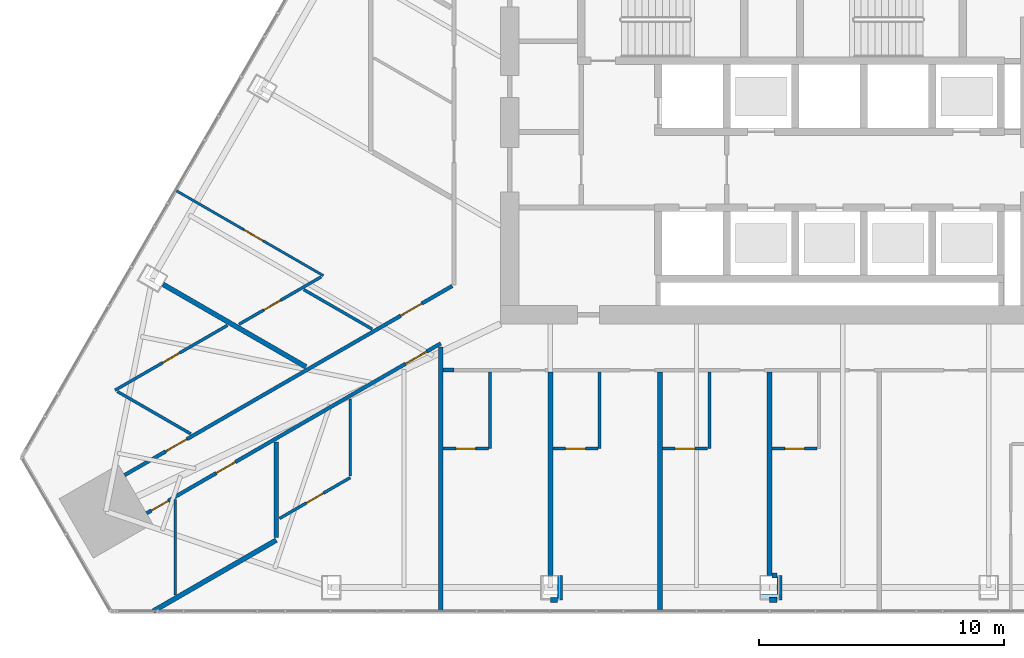
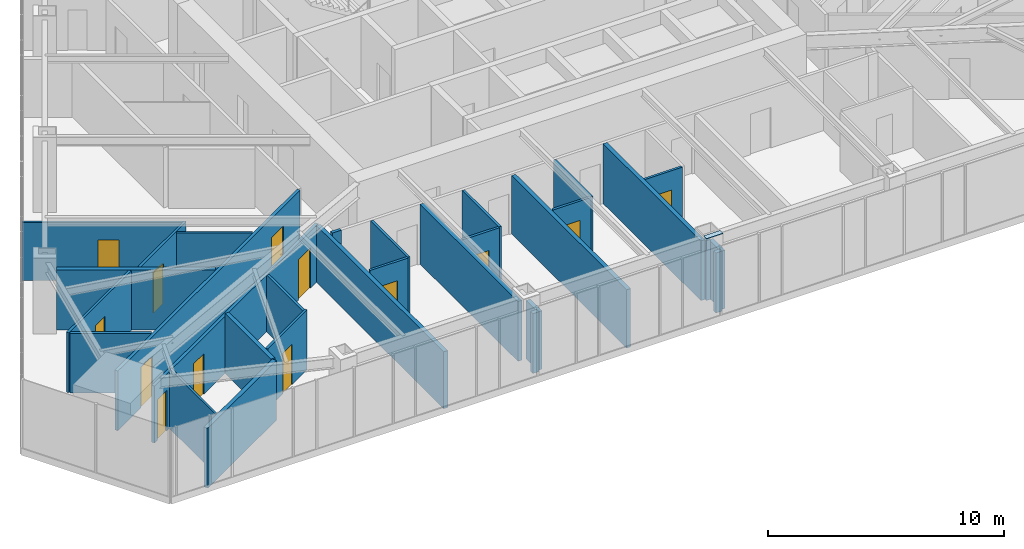
# One storey, part 19 of 26: 30 walls, 13 doors, 1 plate, 13 openings.
"""IFC4 building model written with IfcOpenShell, lengths in metres."""

from ifc_helpers import new_model, si_unit, direction, frame, frame_2d, origin, place, context, subcontext, project, spatial, polyline, rectangle, outline, extrude, material, layer, layer_set, type_object, element, fill, save


model = new_model("IFC4")

# Units and contexts
model_context = context("Model", 3, precision=1e-05, world=origin(), true_north=direction((0.0, 1.0)))
body_context = subcontext(model_context, "Body", "Model", "MODEL_VIEW")
ifc_project = project(units=[si_unit("LENGTHUNIT", "METRE"), si_unit("AREAUNIT", "SQUARE_METRE"), si_unit("VOLUMEUNIT", "CUBIC_METRE"), si_unit("PLANEANGLEUNIT", "RADIAN"), si_unit("MASSUNIT", "GRAM", prefix="KILO")], contexts=[model_context])

# Site, building, storey
site_placement = place(None, origin())
site = spatial("IfcSite", under=ifc_project, at=site_placement, CompositionType="ELEMENT")
building_placement = place(site_placement, origin())
building = spatial("IfcBuilding", under=site, at=building_placement, Name="Firuza Gate Tower and Library", CompositionType="ELEMENT")
storey_placement = place(building_placement, frame((0.0, 0.0, 175.300048828125)))
storey = spatial("IfcBuildingStorey", under=building, at=storey_placement, Name="L40", CompositionType="ELEMENT", Elevation=175.300048828125)

# Plate
ifc_material_1 = material(Name="Steel S355", Category="steel")
ifc_layer_1 = layer(ifc_material_1, 0.030029296875)
ifc_layer_set_1 = layer_set([ifc_layer_1], Name="Column infill plate 30 Steel S355")
plate_type = type_object("IfcPlateType", Name="Column infill plate 30 Steel S355", PredefinedType="SHEET", material=ifc_layer_set_1)
plate_placement = place(storey_placement, frame((0.0, 0.0, 3.89990234375)))
element("IfcPlate", 1, at=plate_placement, inside=storey, type_object=plate_type, Name="Infill plate L40:S3", PredefinedType="SHEET", context=body_context, shape_type="SweptSolid", body=[
    extrude(outline(polyline([(75.39990234375, 55.720458984375), (75.39990234375, 55.959716796875), (74.60009765625, 55.959716796875), (74.60009765625, 55.720458984375), (75.39990234375, 55.720458984375)])), origin(), (0.0, 0.0, 1.0), 0.030029296875),
])

# Wall
ifc_material_2 = material(Name="Gypsum board partition")
ifc_layer_2 = layer(ifc_material_2, 0.14990234375)
ifc_layer_set_2 = layer_set([ifc_layer_2], Name="Corridor wall 150 double board on steel studs")
wall_type_1 = type_object("IfcWallType", Name="Corridor wall 150 double board on steel studs", PredefinedType="PARTITIONING", material=ifc_layer_set_2)
wall_1_placement = place(storey_placement, frame((61.6572265625, 65.118896484375, 0.0), z_axis=(0.0, 0.0, 1.0), x_axis=(1.0, 0.0, 0.0)))
element("IfcWall", 2, at=wall_1_placement, inside=storey, type_object=wall_type_1, Name="f:L40:w009", PredefinedType="PARTITIONING", context=body_context, shape_type="SweptSolid", body=[
    extrude(rectangle(XDim=0.44287109375, YDim=0.14990234375, at=frame_2d((0.221435546875, 0.0))), origin(), (0.0, 0.0, 1.0), 3.099853515625),
])

# Wall, openings, doors
wall_2_placement = place(storey_placement, frame((61.55712890625, 66.19970703125, 0.0), z_axis=(0.0, 0.0, 1.0), x_axis=(-0.866027723534, -0.499995982055, 0.0)))
wall_2 = element("IfcWall", 3, at=wall_2_placement, inside=storey, type_object=wall_type_1, Name="f:L40:w033", PredefinedType="PARTITIONING", context=body_context, shape_type="SweptSolid", body=[
    extrude(rectangle(XDim=13.88134765625, YDim=0.14990234375, at=frame_2d((6.940673828125, 0.0))), origin(), (0.0, 0.0, 1.0), 2.947021484375),
])
opening_1_placement = place(wall_2_placement, frame((0.660888671875, 0.0, 0.0)))
opening_1 = element("IfcOpeningElement", 4, at=opening_1_placement, cuts=wall_2, Name="Opening L40-20", PredefinedType="OPENING", context=body_context, shape_type="SweptSolid", body=[
    extrude(rectangle(XDim=1.0, YDim=2.10009765625, at=frame_2d((0.5, 1.050048828125))), frame((0.0, 0.0849609375, 0.0), z_axis=(0.0, -1.0, 0.0), x_axis=(1.0, 0.0, 0.0)), (0.0, 0.0, 1.0), 0.169921875),
])
opening_2_placement = place(wall_2_placement, frame((9.6962890625, 0.0, 0.0)))
opening_2 = element("IfcOpeningElement", 5, at=opening_2_placement, cuts=wall_2, Name="Opening L40-21", PredefinedType="OPENING", context=body_context, shape_type="SweptSolid", body=[
    extrude(rectangle(XDim=0.89990234375, YDim=2.10009765625, at=frame_2d((0.449951171875, 1.050048828125))), frame((0.0, 0.0849609375, 0.0), z_axis=(0.0, -1.0, 0.0), x_axis=(1.0, 0.0, 0.0)), (0.0, 0.0, 1.0), 0.169921875),
])
opening_3_placement = place(wall_2_placement, frame((12.854736328125, 0.0, 0.0)))
opening_3 = element("IfcOpeningElement", 6, at=opening_3_placement, cuts=wall_2, Name="Opening L40-22", PredefinedType="OPENING", context=body_context, shape_type="SweptSolid", body=[
    extrude(rectangle(XDim=0.800048828125, YDim=2.10009765625, at=frame_2d((0.39990234375, 1.050048828125))), frame((0.0, 0.0849609375, 0.0), z_axis=(0.0, -1.0, 0.0), x_axis=(1.0, 0.0, 0.0)), (0.0, 0.0, 1.0), 0.169921875),
])
ifc_material_3 = material(Name="Timber door", Category="wood")
door_type_1 = type_object("IfcDoorType", Name="Door 800 x 2100 timber leaf", OperationType="NOTDEFINED", PredefinedType="DOOR", material=ifc_material_3)
door_1_placement = place(opening_3_placement, origin())
door_1 = element("IfcDoor", 7, at=door_1_placement, inside=storey, type_object=door_type_1, Name="f:L40:d022", OperationType="SINGLE_SWING_RIGHT", OverallHeight=2.10009765625, OverallWidth=0.800048828125, PredefinedType="DOOR", context=body_context, shape_type="SweptSolid", body=[
    extrude(rectangle(XDim=0.800048828125, YDim=2.10009765625, at=frame_2d((0.39990234375, 1.050048828125))), frame((0.0, 0.02490234375, 0.0), z_axis=(0.0, -1.0, 0.0), x_axis=(1.0, 0.0, 0.0)), (0.0, 0.0, 1.0), 0.050048828125),
])
fill(opening_3, door_1)
ifc_material_4 = material(Name="Steel door and timber leaf", Category="steel")
door_type_2 = type_object("IfcDoorType", Name="Fire door 1000 x 2100 steel frame, timber leaf", OperationType="NOTDEFINED", PredefinedType="DOOR", material=ifc_material_4)
door_2_placement = place(opening_1_placement, origin())
door_2 = element("IfcDoor", 8, at=door_2_placement, inside=storey, type_object=door_type_2, Name="f:L40:d020", OperationType="SINGLE_SWING_RIGHT", OverallHeight=2.10009765625, OverallWidth=1.0, PredefinedType="DOOR", context=body_context, shape_type="SweptSolid", body=[
    extrude(rectangle(XDim=1.0, YDim=2.10009765625, at=frame_2d((0.5, 1.050048828125))), frame((0.0, 0.02490234375, 0.0), z_axis=(0.0, -1.0, 0.0), x_axis=(1.0, 0.0, 0.0)), (0.0, 0.0, 1.0), 0.050048828125),
])
fill(opening_1, door_2)
ifc_material_5 = material(Name="Steel door and timber leaf", Category="steel")
door_type_3 = type_object("IfcDoorType", Name="Fire door 900 x 2100 steel frame, timber leaf", OperationType="NOTDEFINED", PredefinedType="DOOR", material=ifc_material_5)
door_3_placement = place(opening_2_placement, origin())
door_3 = element("IfcDoor", 9, at=door_3_placement, inside=storey, type_object=door_type_3, Name="f:L40:d021", OperationType="SINGLE_SWING_LEFT", OverallHeight=2.10009765625, OverallWidth=0.89990234375, PredefinedType="DOOR", context=body_context, shape_type="SweptSolid", body=[
    extrude(rectangle(XDim=0.89990234375, YDim=2.10009765625, at=frame_2d((0.449951171875, 1.050048828125))), frame((0.0, 0.02490234375, 0.0), z_axis=(0.0, -1.0, 0.0), x_axis=(1.0, 0.0, 0.0)), (0.0, 0.0, 1.0), 0.050048828125),
])
fill(opening_2, door_3)

wall_3_placement = place(storey_placement, frame((48.635498046875, 60.81787109375, 0.0), z_axis=(0.0, 0.0, 1.0), x_axis=(0.866029648708, 0.499992647504, 0.0)))
wall_3 = element("IfcWall", 10, at=wall_3_placement, inside=storey, type_object=wall_type_1, Name="f:L40:w035", PredefinedType="PARTITIONING", context=body_context, shape_type="SweptSolid", body=[
    extrude(rectangle(XDim=15.460693359375, YDim=0.14990234375, at=frame_2d((7.73046875, 0.0))), origin(), (0.0, 0.0, 1.0), 3.099853515625),
])
opening_4_placement = place(wall_3_placement, frame((1.945068359375, 0.0, 0.0)))
opening_4 = element("IfcOpeningElement", 11, at=opening_4_placement, cuts=wall_3, Name="Opening L40-24", PredefinedType="OPENING", context=body_context, shape_type="SweptSolid", body=[
    extrude(rectangle(XDim=1.0, YDim=2.10009765625, at=frame_2d((0.5, 1.050048828125))), frame((0.0, 0.0849609375, 0.0), z_axis=(0.0, -1.0, 0.0), x_axis=(1.0, 0.0, 0.0)), (0.0, 0.0, 1.0), 0.169921875),
])
opening_5_placement = place(wall_3_placement, frame((13.034423828125, 0.0, 0.0)))
opening_5 = element("IfcOpeningElement", 12, at=opening_5_placement, cuts=wall_3, Name="Opening L40-25", PredefinedType="OPENING", context=body_context, shape_type="SweptSolid", body=[
    extrude(rectangle(XDim=1.0, YDim=2.10009765625, at=frame_2d((0.5, 1.050048828125))), frame((0.0, 0.0849609375, 0.0), z_axis=(0.0, -1.0, 0.0), x_axis=(1.0, 0.0, 0.0)), (0.0, 0.0, 1.0), 0.169921875),
])
door_4_placement = place(opening_4_placement, origin())
door_4 = element("IfcDoor", 13, at=door_4_placement, inside=storey, type_object=door_type_2, Name="f:L40:d024", OperationType="SINGLE_SWING_LEFT", OverallHeight=2.10009765625, OverallWidth=1.0, PredefinedType="DOOR", context=body_context, shape_type="SweptSolid", body=[
    extrude(rectangle(XDim=1.0, YDim=2.10009765625, at=frame_2d((0.5, 1.050048828125))), frame((0.0, 0.02490234375, 0.0), z_axis=(0.0, -1.0, 0.0), x_axis=(1.0, 0.0, 0.0)), (0.0, 0.0, 1.0), 0.050048828125),
])
fill(opening_4, door_4)
door_5_placement = place(opening_5_placement, origin())
door_5 = element("IfcDoor", 14, at=door_5_placement, inside=storey, type_object=door_type_2, Name="f:L40:d025", OperationType="SINGLE_SWING_RIGHT", OverallHeight=2.10009765625, OverallWidth=1.0, PredefinedType="DOOR", context=body_context, shape_type="SweptSolid", body=[
    extrude(rectangle(XDim=1.0, YDim=2.10009765625, at=frame_2d((0.5, 1.050048828125))), frame((0.0, 0.02490234375, 0.0), z_axis=(0.0, -1.0, 0.0), x_axis=(1.0, 0.0, 0.0)), (0.0, 0.0, 1.0), 0.050048828125),
])
fill(opening_5, door_5)

# Walls
ifc_material_6 = material(Name="Gypsum board partition")
ifc_layer_3 = layer(ifc_material_6, 0.199951171875)
ifc_layer_set_3 = layer_set([ifc_layer_3], Name="Demising wall 200 acoustic double stud")
wall_type_2 = type_object("IfcWallType", Name="Demising wall 200 acoustic double stud", PredefinedType="PARTITIONING", material=ifc_layer_set_3)
wall_4_placement = place(storey_placement, frame((66.0380859375, 55.720947265625, 0.0), z_axis=(0.0, 0.0, 1.0), x_axis=(1.0, 0.0, 0.0)))
element("IfcWall", 15, at=wall_4_placement, inside=storey, type_object=wall_type_2, Name="f:L40:w000", PredefinedType="PARTITIONING", context=body_context, shape_type="SweptSolid", body=[
    extrude(rectangle(XDim=0.2900390625, YDim=0.199951171875, at=frame_2d((0.14501953125, 0.0))), origin(), (0.0, 0.0, 1.0), 3.099853515625),
])
wall_5_placement = place(storey_placement, frame((75.0, 55.720947265625, 0.0), z_axis=(0.0, 0.0, 1.0), x_axis=(1.0, 0.0, 0.0)))
element("IfcWall", 16, at=wall_5_placement, inside=storey, type_object=wall_type_2, Name="f:L40:w001", PredefinedType="PARTITIONING", context=body_context, shape_type="SweptSolid", body=[
    extrude(rectangle(XDim=0.300048828125, YDim=0.199951171875, at=frame_2d((0.14990234375, 0.0))), origin(), (0.0, 0.0, 1.0), 3.099853515625),
])
wall_6_placement = place(storey_placement, frame((75.10009765625, 56.720947265625, 0.0), z_axis=(0.0, 0.0, 1.0), x_axis=(1.0, 0.0, 0.0)))
element("IfcWall", 17, at=wall_6_placement, inside=storey, type_object=wall_type_2, Name="f:L40:w002", PredefinedType="PARTITIONING", context=body_context, shape_type="SweptSolid", body=[
    extrude(rectangle(XDim=0.199951171875, YDim=0.199951171875, at=frame_2d((0.10009765625, 0.0))), origin(), (0.0, 0.0, 1.0), 3.099853515625),
])
wall_7_placement = place(storey_placement, frame((49.81005859375, 55.260498046875, 0.0), z_axis=(0.0, 0.0, 1.0), x_axis=(0.866025827221, 0.499999266586, 0.0)))
element("IfcWall", 18, at=wall_7_placement, inside=storey, type_object=wall_type_2, Name="f:L40:w030", PredefinedType="PARTITIONING", context=body_context, shape_type="SweptSolid", body=[
    extrude(rectangle(XDim=5.80224609375, YDim=0.199951171875, at=frame_2d((2.901123046875, 0.0))), origin(), (0.0, 0.0, 1.0), 3.099853515625),
])
wall_8_placement = place(storey_placement, frame((75.39990234375, 55.720458984375, 0.0), z_axis=(0.0, 0.0, 1.0), x_axis=(0.0, 1.0, 0.0)))
element("IfcWall", 19, at=wall_8_placement, inside=storey, type_object=wall_type_2, Name="f:L40:w065", PredefinedType="PARTITIONING", context=body_context, shape_type="SweptSolid", body=[
    extrude(rectangle(XDim=1.0, YDim=0.199951171875, at=frame_2d((0.5, 0.0))), origin(), (0.0, 0.0, 1.0), 3.02197265625),
])
wall_9_placement = place(storey_placement, frame((75.0, 56.720458984375, 0.0), z_axis=(0.0, 0.0, 1.0), x_axis=(0.0, 1.0, 0.0)))
element("IfcWall", 20, at=wall_9_placement, inside=storey, type_object=wall_type_2, Name="f:L40:w066", PredefinedType="PARTITIONING", context=body_context, shape_type="SweptSolid", body=[
    extrude(rectangle(XDim=8.304443359375, YDim=0.199951171875, at=frame_2d((4.15234375, 0.0))), origin(), (0.0, 0.0, 1.0), 3.099853515625),
])
wall_10_placement = place(storey_placement, frame((70.51904296875, 55.260498046875, 0.0), z_axis=(0.0, 0.0, 1.0), x_axis=(0.0, 1.0, 0.0)))
element("IfcWall", 21, at=wall_10_placement, inside=storey, type_object=wall_type_2, Name="f:L40:w072", PredefinedType="PARTITIONING", context=body_context, shape_type="SweptSolid", body=[
    extrude(rectangle(XDim=9.764404296875, YDim=0.199951171875, at=frame_2d((4.88232421875, 0.0))), origin(), (0.0, 0.0, 1.0), 3.02197265625),
])
wall_11_placement = place(storey_placement, frame((66.43798828125, 55.720458984375, 0.0), z_axis=(0.0, 0.0, 1.0), x_axis=(0.0, 1.0, 0.0)))
element("IfcWall", 22, at=wall_11_placement, inside=storey, type_object=wall_type_2, Name="f:L40:w077", PredefinedType="PARTITIONING", context=body_context, shape_type="SweptSolid", body=[
    extrude(rectangle(XDim=1.0, YDim=0.199951171875, at=frame_2d((0.5, 0.0))), origin(), (0.0, 0.0, 1.0), 3.02197265625),
])
wall_12_placement = place(storey_placement, frame((66.0380859375, 56.720458984375, 0.0), z_axis=(0.0, 0.0, 1.0), x_axis=(0.0, 1.0, 0.0)))
element("IfcWall", 23, at=wall_12_placement, inside=storey, type_object=wall_type_2, Name="f:L40:w078", PredefinedType="PARTITIONING", context=body_context, shape_type="SweptSolid", body=[
    extrude(rectangle(XDim=8.304443359375, YDim=0.199951171875, at=frame_2d((4.15234375, 0.0))), origin(), (0.0, 0.0, 1.0), 3.099853515625),
])
wall_13_placement = place(storey_placement, frame((61.556884765625, 55.260498046875, 0.0), z_axis=(0.0, 0.0, 1.0), x_axis=(0.0, 1.0, 0.0)))
element("IfcWall", 24, at=wall_13_placement, inside=storey, type_object=wall_type_2, Name="f:L40:w081", PredefinedType="PARTITIONING", context=body_context, shape_type="SweptSolid", body=[
    extrude(rectangle(XDim=10.79248046875, YDim=0.199951171875, at=frame_2d((5.396240234375, 0.0))), origin(), (0.0, 0.0, 1.0), 2.947021484375),
])
wall_14_placement = place(storey_placement, frame((54.8359375, 58.277587890625, 0.0), z_axis=(0.0, 0.0, 1.0), x_axis=(0.0, 1.0, 0.0)))
element("IfcWall", 25, at=wall_14_placement, inside=storey, type_object=wall_type_2, Name="f:L40:w084", PredefinedType="PARTITIONING", context=body_context, shape_type="SweptSolid", body=[
    extrude(rectangle(XDim=3.894775390625, YDim=0.199951171875, at=frame_2d((1.947265625, 0.0))), origin(), (0.0, 0.0, 1.0), 3.099853515625),
])
wall_15_placement = place(storey_placement, frame((56.049072265625, 65.24462890625, 0.0), z_axis=(0.0, 0.0, 1.0), x_axis=(-0.866029476959, 0.499992944988, 0.0)))
element("IfcWall", 26, at=wall_15_placement, inside=storey, type_object=wall_type_2, Name="f:L40:w113", PredefinedType="PARTITIONING", context=body_context, shape_type="SweptSolid", body=[
    extrude(rectangle(XDim=6.7451171875, YDim=0.199951171875, at=frame_2d((3.37255859375, 0.0))), origin(), (0.0, 0.0, 1.0), 3.099853515625),
])
ifc_material_7 = material(Name="Gypsum board partition")
ifc_layer_4 = layer(ifc_material_7, 0.10009765625)
ifc_layer_set_4 = layer_set([ifc_layer_4], Name="Partition 100 gypsum board on steel studs")
wall_type_3 = type_object("IfcWallType", Name="Partition 100 gypsum board on steel studs", PredefinedType="PARTITIONING", material=ifc_layer_set_4)
wall_16_placement = place(storey_placement, frame((50.705078125, 55.922607421875, 0.0), z_axis=(0.0, 0.0, 1.0), x_axis=(0.0, 1.0, 0.0)))
element("IfcWall", 27, at=wall_16_placement, inside=storey, type_object=wall_type_3, Name="f:L40:w085", PredefinedType="PARTITIONING", context=body_context, shape_type="SweptSolid", body=[
    extrude(rectangle(XDim=3.894775390625, YDim=0.10009765625, at=frame_2d((1.947265625, 0.0))), origin(), (0.0, 0.0, 1.0), 3.099853515625),
])

# Wall, opening, door
wall_17_placement = place(storey_placement, frame((56.760986328125, 68.97314453125, 0.0), z_axis=(0.0, 0.0, 1.0), x_axis=(-0.866025474342, 0.499999877791, 0.0)))
wall_17 = element("IfcWall", 28, at=wall_17_placement, inside=storey, type_object=wall_type_3, Name="f:L40:w111", PredefinedType="PARTITIONING", context=body_context, shape_type="SweptSolid", body=[
    extrude(rectangle(XDim=6.95751953125, YDim=0.10009765625, at=frame_2d((3.478759765625, 0.0))), origin(), (0.0, 0.0, 1.0), 3.02197265625),
])
opening_6_placement = place(wall_17_placement, frame((2.8486328125, 0.0, 0.0)))
opening_6 = element("IfcOpeningElement", 29, at=opening_6_placement, cuts=wall_17, Name="Opening L40-50", PredefinedType="OPENING", context=body_context, shape_type="SweptSolid", body=[
    extrude(rectangle(XDim=0.89990234375, YDim=2.10009765625, at=frame_2d((0.449951171875, 1.050048828125))), frame((0.0, 0.06005859375, 0.0), z_axis=(0.0, -1.0, 0.0), x_axis=(1.0, 0.0, 0.0)), (0.0, 0.0, 1.0), 0.1201171875),
])
ifc_material_8 = material(Name="Timber door", Category="wood")
door_type_4 = type_object("IfcDoorType", Name="Door 900 x 2100 timber leaf", OperationType="NOTDEFINED", PredefinedType="DOOR", material=ifc_material_8)
door_6_placement = place(opening_6_placement, origin())
door_6 = element("IfcDoor", 30, at=door_6_placement, inside=storey, type_object=door_type_4, Name="f:L40:d050", OperationType="SINGLE_SWING_LEFT", OverallHeight=2.10009765625, OverallWidth=0.89990234375, PredefinedType="DOOR", context=body_context, shape_type="SweptSolid", body=[
    extrude(rectangle(XDim=0.89990234375, YDim=2.10009765625, at=frame_2d((0.449951171875, 1.050048828125))), frame((0.0, 0.02490234375, 0.0), z_axis=(0.0, -1.0, 0.0), x_axis=(1.0, 0.0, 0.0)), (0.0, 0.0, 1.0), 0.050048828125),
])
fill(opening_6, door_6)

ifc_material_9 = material(Name="Gypsum board partition")
ifc_layer_5 = layer(ifc_material_9, 0.1201171875)
ifc_layer_set_5 = layer_set([ifc_layer_5], Name="Wet-area partition 120 moisture-resistant board")
wall_type_4 = type_object("IfcWallType", Name="Wet-area partition 120 moisture-resistant board", PredefinedType="PARTITIONING", material=ifc_layer_set_5)
wall_18_placement = place(storey_placement, frame((61.6572265625, 61.89990234375, 0.0), z_axis=(0.0, 0.0, 1.0), x_axis=(1.0, 0.0, 0.0)))
wall_18 = element("IfcWall", 31, at=wall_18_placement, inside=storey, type_object=wall_type_4, Name="f:L40:w003", PredefinedType="PARTITIONING", context=body_context, shape_type="SweptSolid", body=[
    extrude(rectangle(XDim=1.856201171875, YDim=0.1201171875, at=frame_2d((0.92822265625, 0.0))), origin(), (0.0, 0.0, 1.0), 3.099853515625),
])
opening_7_placement = place(wall_18_placement, frame((0.5283203125, 0.0, 0.0)))
opening_7 = element("IfcOpeningElement", 32, at=opening_7_placement, cuts=wall_18, Name="Opening L40-01", PredefinedType="OPENING", context=body_context, shape_type="SweptSolid", body=[
    extrude(rectangle(XDim=0.800048828125, YDim=2.10009765625, at=frame_2d((0.39990234375, 1.050048828125))), frame((0.0, 0.070068359375, 0.0), z_axis=(0.0, -1.0, 0.0), x_axis=(1.0, 0.0, 0.0)), (0.0, 0.0, 1.0), 0.14013671875),
])
door_7_placement = place(opening_7_placement, origin())
door_7 = element("IfcDoor", 33, at=door_7_placement, inside=storey, type_object=door_type_1, Name="f:L40:d001", OperationType="SINGLE_SWING_RIGHT", OverallHeight=2.10009765625, OverallWidth=0.800048828125, PredefinedType="DOOR", context=body_context, shape_type="SweptSolid", body=[
    extrude(rectangle(XDim=0.800048828125, YDim=2.10009765625, at=frame_2d((0.39990234375, 1.050048828125))), frame((0.0, 0.02490234375, 0.0), z_axis=(0.0, -1.0, 0.0), x_axis=(1.0, 0.0, 0.0)), (0.0, 0.0, 1.0), 0.050048828125),
])
fill(opening_7, door_7)

wall_19_placement = place(storey_placement, frame((66.13818359375, 61.89990234375, 0.0), z_axis=(0.0, 0.0, 1.0), x_axis=(1.0, 0.0, 0.0)))
wall_19 = element("IfcWall", 34, at=wall_19_placement, inside=storey, type_object=wall_type_4, Name="f:L40:w004", PredefinedType="PARTITIONING", context=body_context, shape_type="SweptSolid", body=[
    extrude(rectangle(XDim=1.856201171875, YDim=0.1201171875, at=frame_2d((0.92822265625, 0.0))), origin(), (0.0, 0.0, 1.0), 3.099853515625),
])
opening_8_placement = place(wall_19_placement, frame((0.5283203125, 0.0, 0.0)))
opening_8 = element("IfcOpeningElement", 35, at=opening_8_placement, cuts=wall_19, Name="Opening L40-02", PredefinedType="OPENING", context=body_context, shape_type="SweptSolid", body=[
    extrude(rectangle(XDim=0.800048828125, YDim=2.10009765625, at=frame_2d((0.39990234375, 1.050048828125))), frame((0.0, 0.070068359375, 0.0), z_axis=(0.0, -1.0, 0.0), x_axis=(1.0, 0.0, 0.0)), (0.0, 0.0, 1.0), 0.14013671875),
])
door_8_placement = place(opening_8_placement, origin())
door_8 = element("IfcDoor", 36, at=door_8_placement, inside=storey, type_object=door_type_1, Name="f:L40:d002", OperationType="SINGLE_SWING_RIGHT", OverallHeight=2.10009765625, OverallWidth=0.800048828125, PredefinedType="DOOR", context=body_context, shape_type="SweptSolid", body=[
    extrude(rectangle(XDim=0.800048828125, YDim=2.10009765625, at=frame_2d((0.39990234375, 1.050048828125))), frame((0.0, 0.02490234375, 0.0), z_axis=(0.0, -1.0, 0.0), x_axis=(1.0, 0.0, 0.0)), (0.0, 0.0, 1.0), 0.050048828125),
])
fill(opening_8, door_8)

wall_20_placement = place(storey_placement, frame((70.619140625, 61.89990234375, 0.0), z_axis=(0.0, 0.0, 1.0), x_axis=(1.0, 0.0, 0.0)))
wall_20 = element("IfcWall", 37, at=wall_20_placement, inside=storey, type_object=wall_type_4, Name="f:L40:w005", PredefinedType="PARTITIONING", context=body_context, shape_type="SweptSolid", body=[
    extrude(rectangle(XDim=1.846435546875, YDim=0.1201171875, at=frame_2d((0.92333984375, 0.0))), origin(), (0.0, 0.0, 1.0), 3.099853515625),
])
opening_9_placement = place(wall_20_placement, frame((0.523193359375, 0.0, 0.0)))
opening_9 = element("IfcOpeningElement", 38, at=opening_9_placement, cuts=wall_20, Name="Opening L40-03", PredefinedType="OPENING", context=body_context, shape_type="SweptSolid", body=[
    extrude(rectangle(XDim=0.800048828125, YDim=2.10009765625, at=frame_2d((0.39990234375, 1.050048828125))), frame((0.0, 0.070068359375, 0.0), z_axis=(0.0, -1.0, 0.0), x_axis=(1.0, 0.0, 0.0)), (0.0, 0.0, 1.0), 0.14013671875),
])
door_9_placement = place(opening_9_placement, origin())
door_9 = element("IfcDoor", 39, at=door_9_placement, inside=storey, type_object=door_type_1, Name="f:L40:d003", OperationType="SINGLE_SWING_RIGHT", OverallHeight=2.10009765625, OverallWidth=0.800048828125, PredefinedType="DOOR", context=body_context, shape_type="SweptSolid", body=[
    extrude(rectangle(XDim=0.800048828125, YDim=2.10009765625, at=frame_2d((0.39990234375, 1.050048828125))), frame((0.0, 0.02490234375, 0.0), z_axis=(0.0, -1.0, 0.0), x_axis=(1.0, 0.0, 0.0)), (0.0, 0.0, 1.0), 0.050048828125),
])
fill(opening_9, door_9)

wall_21_placement = place(storey_placement, frame((75.10009765625, 61.89990234375, 0.0), z_axis=(0.0, 0.0, 1.0), x_axis=(1.0, 0.0, 0.0)))
wall_21 = element("IfcWall", 40, at=wall_21_placement, inside=storey, type_object=wall_type_4, Name="f:L40:w006", PredefinedType="PARTITIONING", context=body_context, shape_type="SweptSolid", body=[
    extrude(rectangle(XDim=1.846435546875, YDim=0.1201171875, at=frame_2d((0.92333984375, 0.0))), origin(), (0.0, 0.0, 1.0), 3.099853515625),
])
opening_10_placement = place(wall_21_placement, frame((0.523193359375, 0.0, 0.0)))
opening_10 = element("IfcOpeningElement", 41, at=opening_10_placement, cuts=wall_21, Name="Opening L40-04", PredefinedType="OPENING", context=body_context, shape_type="SweptSolid", body=[
    extrude(rectangle(XDim=0.800048828125, YDim=2.10009765625, at=frame_2d((0.39990234375, 1.050048828125))), frame((0.0, 0.070068359375, 0.0), z_axis=(0.0, -1.0, 0.0), x_axis=(1.0, 0.0, 0.0)), (0.0, 0.0, 1.0), 0.14013671875),
])
door_10_placement = place(opening_10_placement, origin())
door_10 = element("IfcDoor", 42, at=door_10_placement, inside=storey, type_object=door_type_1, Name="f:L40:d004", OperationType="SINGLE_SWING_RIGHT", OverallHeight=2.10009765625, OverallWidth=0.800048828125, PredefinedType="DOOR", context=body_context, shape_type="SweptSolid", body=[
    extrude(rectangle(XDim=0.800048828125, YDim=2.10009765625, at=frame_2d((0.39990234375, 1.050048828125))), frame((0.0, 0.02490234375, 0.0), z_axis=(0.0, -1.0, 0.0), x_axis=(1.0, 0.0, 0.0)), (0.0, 0.0, 1.0), 0.050048828125),
])
fill(opening_10, door_10)

wall_22_placement = place(storey_placement, frame((54.97021484375, 59.048095703125, 0.0), z_axis=(0.0, 0.0, 1.0), x_axis=(0.866046706318, 0.499963101113, 0.0)))
wall_22 = element("IfcWall", 43, at=wall_22_placement, inside=storey, type_object=wall_type_4, Name="f:L40:w031", PredefinedType="PARTITIONING", context=body_context, shape_type="SweptSolid", body=[
    extrude(rectangle(XDim=3.337158203125, YDim=0.1201171875, at=frame_2d((1.66845703125, 0.0))), origin(), (0.0, 0.0, 1.0), 3.099853515625),
])
opening_11_placement = place(wall_22_placement, frame((1.2685546875, 0.0, 0.0)))
opening_11 = element("IfcOpeningElement", 44, at=opening_11_placement, cuts=wall_22, Name="Opening L40-19", PredefinedType="OPENING", context=body_context, shape_type="SweptSolid", body=[
    extrude(rectangle(XDim=0.800048828125, YDim=2.10009765625, at=frame_2d((0.39990234375, 1.050048828125))), frame((0.0, 0.070068359375, 0.0), z_axis=(0.0, -1.0, 0.0), x_axis=(1.0, 0.0, 0.0)), (0.0, 0.0, 1.0), 0.14013671875),
])
door_11_placement = place(opening_11_placement, origin())
door_11 = element("IfcDoor", 45, at=door_11_placement, inside=storey, type_object=door_type_1, Name="f:L40:d019", OperationType="SINGLE_SWING_RIGHT", OverallHeight=2.10009765625, OverallWidth=0.800048828125, PredefinedType="DOOR", context=body_context, shape_type="SweptSolid", body=[
    extrude(rectangle(XDim=0.800048828125, YDim=2.10009765625, at=frame_2d((0.39990234375, 1.050048828125))), frame((0.0, 0.02490234375, 0.0), z_axis=(0.0, -1.0, 0.0), x_axis=(1.0, 0.0, 0.0)), (0.0, 0.0, 1.0), 0.050048828125),
])
fill(opening_11, door_11)

wall_23_placement = place(storey_placement, frame((56.67626953125, 68.92431640625, 0.0), z_axis=(0.0, 0.0, 1.0), x_axis=(-0.866019241107, -0.500010673919, 0.0)))
wall_23 = element("IfcWall", 46, at=wall_23_placement, inside=storey, type_object=wall_type_4, Name="f:L40:w036", PredefinedType="PARTITIONING", context=body_context, shape_type="SweptSolid", body=[
    extrude(rectangle(XDim=3.88623046875, YDim=0.1201171875, at=frame_2d((1.943115234375, 0.0))), origin(), (0.0, 0.0, 1.0), 3.099853515625),
])
opening_12_placement = place(wall_23_placement, frame((1.91162109375, 0.0, 0.0)))
opening_12 = element("IfcOpeningElement", 47, at=opening_12_placement, cuts=wall_23, Name="Opening L40-26", PredefinedType="OPENING", context=body_context, shape_type="SweptSolid", body=[
    extrude(rectangle(XDim=0.800048828125, YDim=2.10009765625, at=frame_2d((0.39990234375, 1.050048828125))), frame((0.0, 0.070068359375, 0.0), z_axis=(0.0, -1.0, 0.0), x_axis=(1.0, 0.0, 0.0)), (0.0, 0.0, 1.0), 0.14013671875),
])
door_12_placement = place(opening_12_placement, origin())
door_12 = element("IfcDoor", 48, at=door_12_placement, inside=storey, type_object=door_type_1, Name="f:L40:d026", OperationType="SINGLE_SWING_LEFT", OverallHeight=2.10009765625, OverallWidth=0.800048828125, PredefinedType="DOOR", context=body_context, shape_type="SweptSolid", body=[
    extrude(rectangle(XDim=0.800048828125, YDim=2.10009765625, at=frame_2d((0.39990234375, 1.050048828125))), frame((0.0, 0.02490234375, 0.0), z_axis=(0.0, -1.0, 0.0), x_axis=(1.0, 0.0, 0.0)), (0.0, 0.0, 1.0), 0.050048828125),
])
fill(opening_12, door_12)

wall_24_placement = place(storey_placement, frame((52.841552734375, 66.941162109375, 0.0), z_axis=(0.0, 0.0, 1.0), x_axis=(-0.866018407898, -0.500012117035, 0.0)))
wall_24 = element("IfcWall", 49, at=wall_24_placement, inside=storey, type_object=wall_type_4, Name="f:L40:w037", PredefinedType="PARTITIONING", context=body_context, shape_type="SweptSolid", body=[
    extrude(rectangle(XDim=5.301513671875, YDim=0.1201171875, at=frame_2d((2.65087890625, 0.0))), origin(), (0.0, 0.0, 1.0), 3.099853515625),
])
opening_13_placement = place(wall_24_placement, frame((2.250732421875, 0.0, 0.0)))
opening_13 = element("IfcOpeningElement", 50, at=opening_13_placement, cuts=wall_24, Name="Opening L40-27", PredefinedType="OPENING", context=body_context, shape_type="SweptSolid", body=[
    extrude(rectangle(XDim=0.800048828125, YDim=2.10009765625, at=frame_2d((0.39990234375, 1.050048828125))), frame((0.0, 0.070068359375, 0.0), z_axis=(0.0, -1.0, 0.0), x_axis=(1.0, 0.0, 0.0)), (0.0, 0.0, 1.0), 0.14013671875),
])
door_13_placement = place(opening_13_placement, origin())
door_13 = element("IfcDoor", 51, at=door_13_placement, inside=storey, type_object=door_type_1, Name="f:L40:d027", OperationType="SINGLE_SWING_LEFT", OverallHeight=2.10009765625, OverallWidth=0.800048828125, PredefinedType="DOOR", context=body_context, shape_type="SweptSolid", body=[
    extrude(rectangle(XDim=0.800048828125, YDim=2.10009765625, at=frame_2d((0.39990234375, 1.050048828125))), frame((0.0, 0.02490234375, 0.0), z_axis=(0.0, -1.0, 0.0), x_axis=(1.0, 0.0, 0.0)), (0.0, 0.0, 1.0), 0.050048828125),
])
fill(opening_13, door_13)

# Walls
for number, where, z_axis, x_axis, name in (
    (52, (72.534912109375, 61.89990234375, 0.0), (0.0, 0.0, 1.0), (0.0, 1.0, 0.0), "f:L40:w069"),
    (53, (68.054931640625, 61.89990234375, 0.0), (0.0, 0.0, 1.0), (0.0, 1.0, 0.0), "f:L40:w074"),
    (54, (63.573974609375, 61.89990234375, 0.0), (0.0, 0.0, 1.0), (0.0, 1.0, 0.0), "f:L40:w079"),
):
    element("IfcWall", number, at=place(storey_placement, frame(where, z_axis=z_axis, x_axis=x_axis)), inside=storey, type_object=wall_type_4, Name=name, PredefinedType="PARTITIONING", context=body_context, shape_type="SweptSolid", body=[
        extrude(rectangle(XDim=3.125, YDim=0.1201171875, at=frame_2d((1.5625, 0.0))), origin(), (0.0, 0.0, 1.0), 3.099853515625),
    ])
wall_25_placement = place(storey_placement, frame((57.860107421875, 60.785888671875, 0.0), z_axis=(0.0, 0.0, 1.0), x_axis=(0.0, 1.0, 0.0)))
element("IfcWall", 55, at=wall_25_placement, inside=storey, type_object=wall_type_4, Name="f:L40:w083", PredefinedType="PARTITIONING", context=body_context, shape_type="SweptSolid", body=[
    extrude(rectangle(XDim=3.152587890625, YDim=0.1201171875, at=frame_2d((1.576171875, 0.0))), origin(), (0.0, 0.0, 1.0), 2.947021484375),
])
wall_26_placement = place(storey_placement, frame((58.75537109375, 66.787109375, 0.0), z_axis=(0.0, 0.0, 1.0), x_axis=(-0.866019355129, 0.500010476433, 0.0)))
element("IfcWall", 56, at=wall_26_placement, inside=storey, type_object=wall_type_4, Name="f:L40:w112", PredefinedType="PARTITIONING", context=body_context, shape_type="SweptSolid", body=[
    extrude(rectangle(XDim=3.228515625, YDim=0.1201171875, at=frame_2d((1.6142578125, 0.0))), origin(), (0.0, 0.0, 1.0), 3.099853515625),
])
wall_27_placement = place(storey_placement, frame((51.340576171875, 62.505859375, 0.0), z_axis=(0.0, 0.0, 1.0), x_axis=(-0.866015170855, 0.500017723536, 0.0)))
element("IfcWall", 57, at=wall_27_placement, inside=storey, type_object=wall_type_4, Name="f:L40:w114", PredefinedType="PARTITIONING", context=body_context, shape_type="SweptSolid", body=[
    extrude(rectangle(XDim=3.459228515625, YDim=0.1201171875, at=frame_2d((1.7294921875, 0.0))), origin(), (0.0, 0.0, 1.0), 3.099853515625),
])

save(model, "model.ifc")
